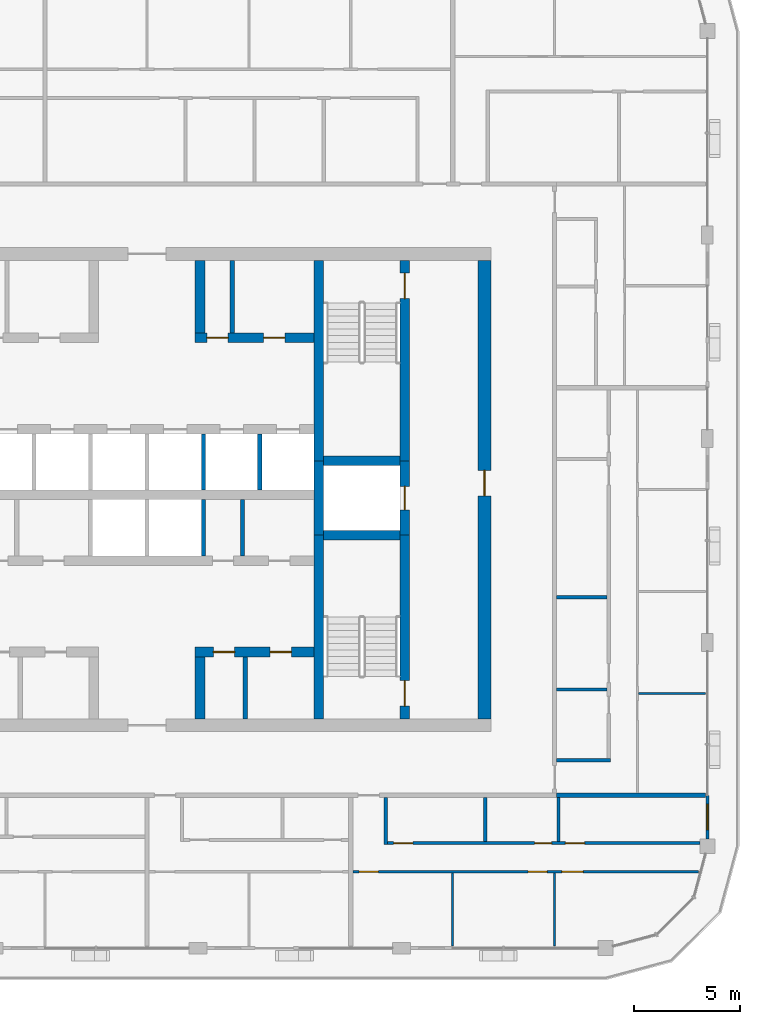
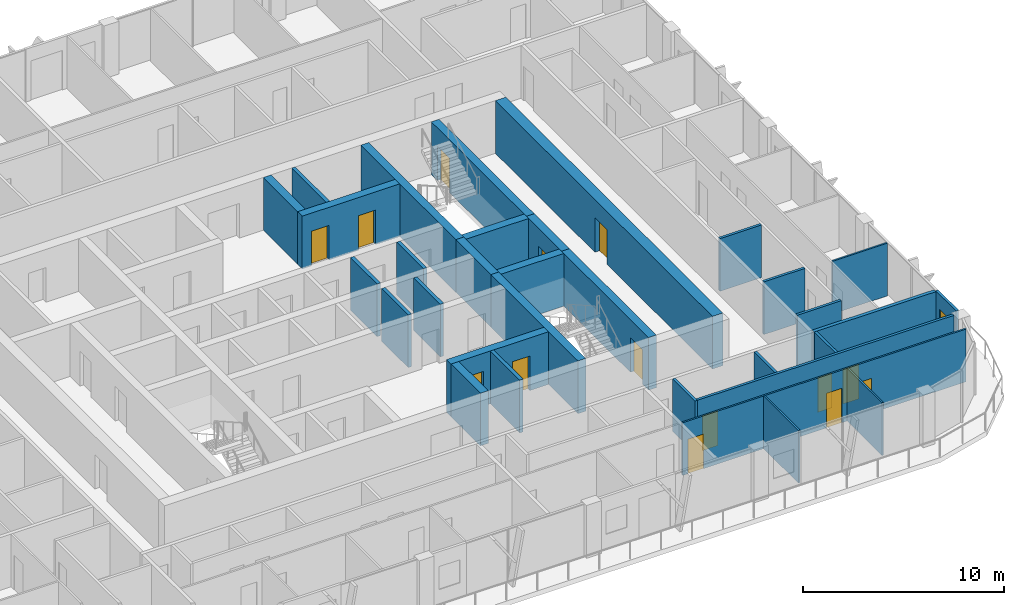
# One storey, part 12 of 21: 32 walls, 14 doors, 1 window, 15 openings.
"""IFC4 building model written with IfcOpenShell, lengths in metres."""

from ifc_helpers import new_model, si_unit, direction, frame, frame_2d, origin, place, context, subcontext, project, spatial, rectangle, extrude, material, layer, layer_set, type_object, element, fill, save


model = new_model("IFC4")

# Units and contexts
model_context = context("Model", 3, precision=1e-05, world=origin(), true_north=direction((0.0, 1.0)))
body_context = subcontext(model_context, "Body", "Model", "MODEL_VIEW")
ifc_project = project(units=[si_unit("LENGTHUNIT", "METRE"), si_unit("AREAUNIT", "SQUARE_METRE"), si_unit("VOLUMEUNIT", "CUBIC_METRE"), si_unit("PLANEANGLEUNIT", "RADIAN"), si_unit("MASSUNIT", "GRAM", prefix="KILO")], contexts=[model_context])

# Site, building, storey
site_placement = place(None, origin())
site = spatial("IfcSite", under=ifc_project, at=site_placement, CompositionType="ELEMENT")
building_placement = place(site_placement, origin())
building = spatial("IfcBuilding", under=site, at=building_placement, Name="Madar Terraces", CompositionType="ELEMENT")
storey_placement = place(building_placement, frame((0.0, 0.0, 245.699951171875)))
storey = spatial("IfcBuildingStorey", under=building, at=storey_placement, Name="L64", CompositionType="ELEMENT", Elevation=245.699951171875)

# Walls
ifc_material_1 = material(Name="Concrete C55/67", Category="concrete")
ifc_layer_1 = layer(ifc_material_1, 0.449951171875)
ifc_layer_set_1 = layer_set([ifc_layer_1], Name="Concrete C55/67 (CIW5 RC wall 450)")
wall_type_1 = type_object("IfcWallType", Name="CIW5 RC wall 450", PredefinedType="SHEAR", material=ifc_layer_set_1)
wall_1_placement = place(storey_placement, frame((39.300048828125, 15.60009765625, 0.0), z_axis=(0.0, 0.0, 1.0), x_axis=(0.0, 1.0, 0.0)))
element("IfcWall", 1, at=wall_1_placement, inside=storey, type_object=wall_type_1, Name="CORE SHAFT WALL", PredefinedType="SHEAR", context=body_context, shape_type="SweptSolid", body=[
    extrude(rectangle(XDim=8.64990234375, YDim=0.449951171875, at=frame_2d((4.324951171875, 0.0))), origin(), (0.0, 0.0, 1.0), 3.199951171875),
])
wall_2_placement = place(storey_placement, frame((39.300048828125, 24.25, 0.0), z_axis=(0.0, 0.0, 1.0), x_axis=(0.0, 1.0, 0.0)))
element("IfcWall", 2, at=wall_2_placement, inside=storey, type_object=wall_type_1, Name="CORE SHAFT WALL", PredefinedType="SHEAR", context=body_context, shape_type="SweptSolid", body=[
    extrude(rectangle(XDim=3.5, YDim=0.449951171875, at=frame_2d((1.75, 0.0))), origin(), (0.0, 0.0, 1.0), 3.199951171875),
])
wall_3_placement = place(storey_placement, frame((39.300048828125, 27.75, 0.0), z_axis=(0.0, 0.0, 1.0), x_axis=(0.0, 1.0, 0.0)))
element("IfcWall", 3, at=wall_3_placement, inside=storey, type_object=wall_type_1, Name="CORE SHAFT WALL", PredefinedType="SHEAR", context=body_context, shape_type="SweptSolid", body=[
    extrude(rectangle(XDim=9.449951171875, YDim=0.449951171875, at=frame_2d((4.72509765625, 0.0))), origin(), (0.0, 0.0, 1.0), 3.199951171875),
])

# Wall, opening, door
wall_4_placement = place(storey_placement, frame((43.35009765625, 15.60009765625, 0.0), z_axis=(0.0, 0.0, 1.0), x_axis=(0.0, 1.0, 0.0)))
wall_4 = element("IfcWall", 4, at=wall_4_placement, inside=storey, type_object=wall_type_1, Name="CORE SHAFT WALL", PredefinedType="SHEAR", context=body_context, shape_type="SweptSolid", body=[
    extrude(rectangle(XDim=8.64990234375, YDim=0.449951171875, at=frame_2d((4.324951171875, 0.0))), origin(), (0.0, 0.0, 1.0), 3.199951171875),
])
opening_1_placement = place(wall_4_placement, frame((0.60009765625, 0.0, 0.0)))
opening_1 = element("IfcOpeningElement", 5, at=opening_1_placement, cuts=wall_4, Name="Opening SD1", PredefinedType="OPENING", context=body_context, shape_type="SweptSolid", body=[
    extrude(rectangle(XDim=1.199951171875, YDim=2.10009765625, at=frame_2d((0.60009765625, 1.050048828125))), frame((0.0, 0.23486328125, 0.0), z_axis=(0.0, -1.0, 0.0), x_axis=(1.0, 0.0, 0.0)), (0.0, 0.0, 1.0), 0.469970703125),
])
ifc_material_2 = material(Name="Steel door leaf", Category="steel")
door_type_1 = type_object("IfcDoorType", Name="Stair door 1200 x 2100", OperationType="NOTDEFINED", PredefinedType="DOOR", material=ifc_material_2)
door_1_placement = place(opening_1_placement, origin())
door_1 = element("IfcDoor", 6, at=door_1_placement, inside=storey, type_object=door_type_1, Name="STAIR DOOR", OperationType="SINGLE_SWING_LEFT", OverallHeight=2.10009765625, OverallWidth=1.199951171875, PredefinedType="DOOR", context=body_context, shape_type="SweptSolid", body=[
    extrude(rectangle(XDim=1.199951171875, YDim=2.10009765625, at=frame_2d((0.60009765625, 1.050048828125))), frame((0.0, 0.02490234375, 0.0), z_axis=(0.0, -1.0, 0.0), x_axis=(1.0, 0.0, 0.0)), (0.0, 0.0, 1.0), 0.050048828125),
])
fill(opening_1, door_1)

wall_5_placement = place(storey_placement, frame((43.35009765625, 24.25, 0.0), z_axis=(0.0, 0.0, 1.0), x_axis=(0.0, 1.0, 0.0)))
wall_5 = element("IfcWall", 7, at=wall_5_placement, inside=storey, type_object=wall_type_1, Name="CORE SHAFT WALL", PredefinedType="SHEAR", context=body_context, shape_type="SweptSolid", body=[
    extrude(rectangle(XDim=3.5, YDim=0.449951171875, at=frame_2d((1.75, 0.0))), origin(), (0.0, 0.0, 1.0), 3.199951171875),
])
opening_2_placement = place(wall_5_placement, frame((1.199951171875, 0.0, 0.0)))
opening_2 = element("IfcOpeningElement", 8, at=opening_2_placement, cuts=wall_5, Name="Opening LD", PredefinedType="OPENING", context=body_context, shape_type="SweptSolid", body=[
    extrude(rectangle(XDim=1.10009765625, YDim=2.10009765625, at=frame_2d((0.550048828125, 1.050048828125))), frame((0.0, 0.23486328125, 0.0), z_axis=(0.0, -1.0, 0.0), x_axis=(1.0, 0.0, 0.0)), (0.0, 0.0, 1.0), 0.469970703125),
])
ifc_material_3 = material(Name="Stainless steel panel", Category="steel")
door_type_2 = type_object("IfcDoorType", Name="Lift landing door 1100 x 2100", OperationType="DOUBLE_DOOR_SLIDING", PredefinedType="DOOR", material=ifc_material_3)
door_2_placement = place(opening_2_placement, origin())
door_2 = element("IfcDoor", 9, at=door_2_placement, inside=storey, type_object=door_type_2, Name="LIFT LANDING DOOR", OperationType="DOUBLE_DOOR_SLIDING", OverallHeight=2.10009765625, OverallWidth=1.10009765625, PredefinedType="DOOR", context=body_context, shape_type="SweptSolid", body=[
    extrude(rectangle(XDim=1.10009765625, YDim=2.10009765625, at=frame_2d((0.550048828125, 1.050048828125))), frame((0.0, 0.02490234375, 0.0), z_axis=(0.0, -1.0, 0.0), x_axis=(1.0, 0.0, 0.0)), (0.0, 0.0, 1.0), 0.050048828125),
])
fill(opening_2, door_2)

wall_6_placement = place(storey_placement, frame((43.35009765625, 27.75, 0.0), z_axis=(0.0, 0.0, 1.0), x_axis=(0.0, 1.0, 0.0)))
wall_6 = element("IfcWall", 10, at=wall_6_placement, inside=storey, type_object=wall_type_1, Name="CORE SHAFT WALL", PredefinedType="SHEAR", context=body_context, shape_type="SweptSolid", body=[
    extrude(rectangle(XDim=9.449951171875, YDim=0.449951171875, at=frame_2d((4.72509765625, 0.0))), origin(), (0.0, 0.0, 1.0), 3.199951171875),
])
opening_3_placement = place(wall_6_placement, frame((7.64990234375, 0.0, 0.0)))
opening_3 = element("IfcOpeningElement", 11, at=opening_3_placement, cuts=wall_6, Name="Opening SD1", PredefinedType="OPENING", context=body_context, shape_type="SweptSolid", body=[
    extrude(rectangle(XDim=1.199951171875, YDim=2.10009765625, at=frame_2d((0.60009765625, 1.050048828125))), frame((0.0, 0.23486328125, 0.0), z_axis=(0.0, -1.0, 0.0), x_axis=(1.0, 0.0, 0.0)), (0.0, 0.0, 1.0), 0.469970703125),
])
door_3_placement = place(opening_3_placement, origin())
door_3 = element("IfcDoor", 12, at=door_3_placement, inside=storey, type_object=door_type_1, Name="STAIR DOOR", OperationType="SINGLE_SWING_RIGHT", OverallHeight=2.10009765625, OverallWidth=1.199951171875, PredefinedType="DOOR", context=body_context, shape_type="SweptSolid", body=[
    extrude(rectangle(XDim=1.199951171875, YDim=2.10009765625, at=frame_2d((0.60009765625, 1.050048828125))), frame((0.0, 0.02490234375, 0.0), z_axis=(0.0, -1.0, 0.0), x_axis=(1.0, 0.0, 0.0)), (0.0, 0.0, 1.0), 0.050048828125),
])
fill(opening_3, door_3)

# Walls
for number, where, z_axis, x_axis, name in (
    (13, (39.52490234375, 24.25, 0.0), (0.0, 0.0, 1.0), (1.0, 0.0, 0.0), "CORE SHAFT WALL"),
    (14, (39.52490234375, 27.75, 0.0), (0.0, 0.0, 1.0), (1.0, 0.0, 0.0), "CORE SHAFT WALL"),
):
    element("IfcWall", number, at=place(storey_placement, frame(where, z_axis=z_axis, x_axis=x_axis)), inside=storey, type_object=wall_type_1, Name=name, PredefinedType="SHEAR", context=body_context, shape_type="SweptSolid", body=[
        extrude(rectangle(XDim=3.60009765625, YDim=0.449951171875, at=frame_2d((1.800048828125, 0.0))), origin(), (0.0, 0.0, 1.0), 3.199951171875),
    ])

# Wall, openings, doors
wall_7_placement = place(storey_placement, frame((33.47509765625, 18.75, 0.0), z_axis=(0.0, 0.0, 1.0), x_axis=(1.0, 0.0, 0.0)))
wall_7 = element("IfcWall", 15, at=wall_7_placement, inside=storey, type_object=wall_type_1, Name="CORE SHAFT WALL", PredefinedType="SHEAR", context=body_context, shape_type="SweptSolid", body=[
    extrude(rectangle(XDim=5.599853515625, YDim=0.449951171875, at=frame_2d((2.7998046875, 0.0))), origin(), (0.0, 0.0, 1.0), 3.199951171875),
])
opening_4_placement = place(wall_7_placement, frame((0.852783203125, 0.0, 0.0)))
opening_4 = element("IfcOpeningElement", 16, at=opening_4_placement, cuts=wall_7, Name="Opening KD2", PredefinedType="OPENING", context=body_context, shape_type="SweptSolid", body=[
    extrude(rectangle(XDim=1.0, YDim=2.10009765625, at=frame_2d((0.5, 1.050048828125))), frame((0.0, 0.23486328125, 0.0), z_axis=(0.0, -1.0, 0.0), x_axis=(1.0, 0.0, 0.0)), (0.0, 0.0, 1.0), 0.469970703125),
])
opening_5_placement = place(wall_7_placement, frame((3.52783203125, 0.0, 0.0)))
opening_5 = element("IfcOpeningElement", 17, at=opening_5_placement, cuts=wall_7, Name="Opening KD2", PredefinedType="OPENING", context=body_context, shape_type="SweptSolid", body=[
    extrude(rectangle(XDim=1.0, YDim=2.10009765625, at=frame_2d((0.5, 1.050048828125))), frame((0.0, 0.23486328125, 0.0), z_axis=(0.0, -1.0, 0.0), x_axis=(1.0, 0.0, 0.0)), (0.0, 0.0, 1.0), 0.469970703125),
])
ifc_material_4 = material(Name="Steel door leaf", Category="steel")
door_type_3 = type_object("IfcDoorType", Name="Service room door 1000 x 2100", OperationType="NOTDEFINED", PredefinedType="DOOR", material=ifc_material_4)
door_4_placement = place(opening_4_placement, origin())
door_4 = element("IfcDoor", 18, at=door_4_placement, inside=storey, type_object=door_type_3, Name="SERVICE ROOM DOOR", OperationType="SINGLE_SWING_LEFT", OverallHeight=2.10009765625, OverallWidth=1.0, PredefinedType="DOOR", context=body_context, shape_type="SweptSolid", body=[
    extrude(rectangle(XDim=1.0, YDim=2.10009765625, at=frame_2d((0.5, 1.050048828125))), frame((0.0, 0.02490234375, 0.0), z_axis=(0.0, -1.0, 0.0), x_axis=(1.0, 0.0, 0.0)), (0.0, 0.0, 1.0), 0.050048828125),
])
fill(opening_4, door_4)
door_5_placement = place(opening_5_placement, origin())
door_5 = element("IfcDoor", 19, at=door_5_placement, inside=storey, type_object=door_type_3, Name="SERVICE ROOM DOOR", OperationType="SINGLE_SWING_RIGHT", OverallHeight=2.10009765625, OverallWidth=1.0, PredefinedType="DOOR", context=body_context, shape_type="SweptSolid", body=[
    extrude(rectangle(XDim=1.0, YDim=2.10009765625, at=frame_2d((0.5, 1.050048828125))), frame((0.0, 0.02490234375, 0.0), z_axis=(0.0, -1.0, 0.0), x_axis=(1.0, 0.0, 0.0)), (0.0, 0.0, 1.0), 0.050048828125),
])
fill(opening_5, door_5)

wall_8_placement = place(storey_placement, frame((33.47509765625, 33.550048828125, 0.0), z_axis=(0.0, 0.0, 1.0), x_axis=(1.0, 0.0, 0.0)))
wall_8 = element("IfcWall", 20, at=wall_8_placement, inside=storey, type_object=wall_type_1, Name="CORE SHAFT WALL", PredefinedType="SHEAR", context=body_context, shape_type="SweptSolid", body=[
    extrude(rectangle(XDim=5.599853515625, YDim=0.449951171875, at=frame_2d((2.7998046875, 0.0))), origin(), (0.0, 0.0, 1.0), 3.199951171875),
])
opening_6_placement = place(wall_8_placement, frame((0.543701171875, 0.0, 0.0)))
opening_6 = element("IfcOpeningElement", 21, at=opening_6_placement, cuts=wall_8, Name="Opening KD2", PredefinedType="OPENING", context=body_context, shape_type="SweptSolid", body=[
    extrude(rectangle(XDim=1.0, YDim=2.10009765625, at=frame_2d((0.5, 1.050048828125))), frame((0.0, 0.23486328125, 0.0), z_axis=(0.0, -1.0, 0.0), x_axis=(1.0, 0.0, 0.0)), (0.0, 0.0, 1.0), 0.469970703125),
])
opening_7_placement = place(wall_8_placement, frame((3.21875, 0.0, 0.0)))
opening_7 = element("IfcOpeningElement", 22, at=opening_7_placement, cuts=wall_8, Name="Opening KD2", PredefinedType="OPENING", context=body_context, shape_type="SweptSolid", body=[
    extrude(rectangle(XDim=1.0, YDim=2.10009765625, at=frame_2d((0.5, 1.050048828125))), frame((0.0, 0.23486328125, 0.0), z_axis=(0.0, -1.0, 0.0), x_axis=(1.0, 0.0, 0.0)), (0.0, 0.0, 1.0), 0.469970703125),
])
door_6_placement = place(opening_6_placement, frame((1.0, 0.0, 0.0), z_axis=(0.0, 0.0, 1.0), x_axis=(-1.0, 0.0, 0.0)))
door_6 = element("IfcDoor", 23, at=door_6_placement, inside=storey, type_object=door_type_3, Name="SERVICE ROOM DOOR", OperationType="SINGLE_SWING_LEFT", OverallHeight=2.10009765625, OverallWidth=1.0, PredefinedType="DOOR", context=body_context, shape_type="SweptSolid", body=[
    extrude(rectangle(XDim=1.0, YDim=2.10009765625, at=frame_2d((0.5, 1.050048828125))), frame((0.0, 0.02490234375, 0.0), z_axis=(0.0, -1.0, 0.0), x_axis=(1.0, 0.0, 0.0)), (0.0, 0.0, 1.0), 0.050048828125),
])
fill(opening_6, door_6)
door_7_placement = place(opening_7_placement, frame((1.0, 0.0, 0.0), z_axis=(0.0, 0.0, 1.0), x_axis=(-1.0, 0.0, 0.0)))
door_7 = element("IfcDoor", 24, at=door_7_placement, inside=storey, type_object=door_type_3, Name="SERVICE ROOM DOOR", OperationType="SINGLE_SWING_RIGHT", OverallHeight=2.10009765625, OverallWidth=1.0, PredefinedType="DOOR", context=body_context, shape_type="SweptSolid", body=[
    extrude(rectangle(XDim=1.0, YDim=2.10009765625, at=frame_2d((0.5, 1.050048828125))), frame((0.0, 0.02490234375, 0.0), z_axis=(0.0, -1.0, 0.0), x_axis=(1.0, 0.0, 0.0)), (0.0, 0.0, 1.0), 0.050048828125),
])
fill(opening_7, door_7)

# Walls
wall_9_placement = place(storey_placement, frame((33.699951171875, 15.60009765625, 0.0), z_axis=(0.0, 0.0, 1.0), x_axis=(0.0, 1.0, 0.0)))
element("IfcWall", 25, at=wall_9_placement, inside=storey, type_object=wall_type_1, Name="CORE SHAFT WALL", PredefinedType="SHEAR", context=body_context, shape_type="SweptSolid", body=[
    extrude(rectangle(XDim=2.9248046875, YDim=0.449951171875, at=frame_2d((1.46240234375, 0.0))), origin(), (0.0, 0.0, 1.0), 3.199951171875),
])
wall_10_placement = place(storey_placement, frame((33.699951171875, 33.77490234375, 0.0), z_axis=(0.0, 0.0, 1.0), x_axis=(0.0, 1.0, 0.0)))
element("IfcWall", 26, at=wall_10_placement, inside=storey, type_object=wall_type_1, Name="CORE SHAFT WALL", PredefinedType="SHEAR", context=body_context, shape_type="SweptSolid", body=[
    extrude(rectangle(XDim=3.425048828125, YDim=0.449951171875, at=frame_2d((1.71240234375, 0.0))), origin(), (0.0, 0.0, 1.0), 3.199951171875),
])

# Wall, opening, door
ifc_material_5 = material(Name="Concrete C55/67", Category="concrete")
ifc_layer_2 = layer(ifc_material_5, 0.60009765625)
ifc_layer_set_2 = layer_set([ifc_layer_2], Name="Concrete C55/67 (CRW5 RC wall 600)")
wall_type_2 = type_object("IfcWallType", Name="CRW5 RC wall 600", PredefinedType="SHEAR", material=ifc_layer_set_2)
wall_11_placement = place(storey_placement, frame((47.10009765625, 15.60009765625, 0.0), z_axis=(0.0, 0.0, 1.0), x_axis=(0.0, 1.0, 0.0)))
wall_11 = element("IfcWall", 27, at=wall_11_placement, inside=storey, type_object=wall_type_2, Name="CORE OUTER WALL", PredefinedType="SHEAR", context=body_context, shape_type="SweptSolid", body=[
    extrude(rectangle(XDim=21.599853515625, YDim=0.60009765625, at=frame_2d((10.7998046875, 0.0))), origin(), (0.0, 0.0, 1.0), 3.199951171875),
])
opening_8_placement = place(wall_11_placement, frame((10.5, 0.0, 0.0)))
opening_8 = element("IfcOpeningElement", 28, at=opening_8_placement, cuts=wall_11, Name="Opening SD1", PredefinedType="OPENING", context=body_context, shape_type="SweptSolid", body=[
    extrude(rectangle(XDim=1.199951171875, YDim=2.10009765625, at=frame_2d((0.60009765625, 1.050048828125))), frame((0.0, 0.31005859375, 0.0), z_axis=(0.0, -1.0, 0.0), x_axis=(1.0, 0.0, 0.0)), (0.0, 0.0, 1.0), 0.6201171875),
])
door_8_placement = place(opening_8_placement, origin())
door_8 = element("IfcDoor", 29, at=door_8_placement, inside=storey, type_object=door_type_1, Name="STAIR DOOR", OperationType="SINGLE_SWING_RIGHT", OverallHeight=2.10009765625, OverallWidth=1.199951171875, PredefinedType="DOOR", context=body_context, shape_type="SweptSolid", body=[
    extrude(rectangle(XDim=1.199951171875, YDim=2.10009765625, at=frame_2d((0.60009765625, 1.050048828125))), frame((0.0, 0.02490234375, 0.0), z_axis=(0.0, -1.0, 0.0), x_axis=(1.0, 0.0, 0.0)), (0.0, 0.0, 1.0), 0.050048828125),
])
fill(opening_8, door_8)

# Walls
ifc_material_6 = material(Name="Masonry blockwork", Category="masonry")
ifc_layer_3 = layer(ifc_material_6, 0.199951171875)
ifc_layer_set_3 = layer_set([ifc_layer_3], Name="Core partition 200 blockwork")
wall_type_3 = type_object("IfcWallType", Name="Core partition 200 blockwork", PredefinedType="PARTITIONING", material=ifc_layer_set_3)
wall_12_placement = place(storey_placement, frame((35.697998046875, 23.27490234375, 0.0), z_axis=(0.0, 0.0, 1.0), x_axis=(0.0, 1.0, 0.0)))
element("IfcWall", 30, at=wall_12_placement, inside=storey, type_object=wall_type_3, Name="SERVICE ROOM PARTITION", PredefinedType="PARTITIONING", context=body_context, shape_type="SweptSolid", body=[
    extrude(rectangle(XDim=2.650146484375, YDim=0.199951171875, at=frame_2d((1.3251953125, 0.0))), origin(), (0.0, 0.0, 1.0), 3.199951171875),
])
wall_13_placement = place(storey_placement, frame((35.83056640625, 15.60009765625, 0.0), z_axis=(0.0, 0.0, 1.0), x_axis=(0.0, 1.0, 0.0)))
element("IfcWall", 31, at=wall_13_placement, inside=storey, type_object=wall_type_3, Name="SERVICE ROOM PARTITION", PredefinedType="PARTITIONING", context=body_context, shape_type="SweptSolid", body=[
    extrude(rectangle(XDim=2.9248046875, YDim=0.199951171875, at=frame_2d((1.46240234375, 0.0))), origin(), (0.0, 0.0, 1.0), 3.199951171875),
])
wall_14_placement = place(storey_placement, frame((35.21240234375, 33.77490234375, 0.0), z_axis=(0.0, 0.0, 1.0), x_axis=(0.0, 1.0, 0.0)))
element("IfcWall", 32, at=wall_14_placement, inside=storey, type_object=wall_type_3, Name="SERVICE ROOM PARTITION", PredefinedType="PARTITIONING", context=body_context, shape_type="SweptSolid", body=[
    extrude(rectangle(XDim=3.425048828125, YDim=0.199951171875, at=frame_2d((1.71240234375, 0.0))), origin(), (0.0, 0.0, 1.0), 3.199951171875),
])
ifc_material_7 = material(Name="Concrete C40/50", Category="concrete")
ifc_layer_4 = layer(ifc_material_7, 0.199951171875)
ifc_layer_set_4 = layer_set([ifc_layer_4], Name="Core shaft dividing wall 200 C40/50")
wall_type_4 = type_object("IfcWallType", Name="Core shaft dividing wall 200 C40/50", PredefinedType="SOLIDWALL", material=ifc_layer_set_4)
wall_15_placement = place(storey_placement, frame((33.8583984375, 23.27490234375, 0.0), z_axis=(0.0, 0.0, 1.0), x_axis=(0.0, 1.0, 0.0)))
element("IfcWall", 33, at=wall_15_placement, inside=storey, type_object=wall_type_4, Name="SHAFT DIVIDING WALL", PredefinedType="SOLIDWALL", context=body_context, shape_type="SweptSolid", body=[
    extrude(rectangle(XDim=2.650146484375, YDim=0.199951171875, at=frame_2d((1.3251953125, 0.0))), origin(), (0.0, 0.0, 1.0), 3.199951171875),
])
for number, where, z_axis, x_axis, name in (
    (34, (33.8583984375, 26.375, 0.0), (0.0, 0.0, 1.0), (0.0, 1.0, 0.0), "SHAFT DIVIDING WALL"),
    (35, (36.5166015625, 26.375, 0.0), (0.0, 0.0, 1.0), (0.0, 1.0, 0.0), "SHAFT DIVIDING WALL"),
):
    element("IfcWall", number, at=place(storey_placement, frame(where, z_axis=z_axis, x_axis=x_axis)), inside=storey, type_object=wall_type_4, Name=name, PredefinedType="SOLIDWALL", context=body_context, shape_type="SweptSolid", body=[
        extrude(rectangle(XDim=2.64990234375, YDim=0.199951171875, at=frame_2d((1.324951171875, 0.0))), origin(), (0.0, 0.0, 1.0), 3.199951171875),
    ])

# Wall, opening, window
ifc_material_8 = material(Name="Aluminium composite panel, black, over insulated backing", Category="aluminium")
ifc_layer_5 = layer(ifc_material_8, 0.14990234375)
ifc_layer_set_5 = layer_set([ifc_layer_5], Name="Facade bay panel 150")
wall_type_5 = type_object("IfcWallType", Name="Facade bay panel 150", PredefinedType="SOLIDWALL", material=ifc_layer_set_5)
wall_16_placement = place(storey_placement, frame((57.60009765625, 9.949951171875, 0.0), z_axis=(0.0, 0.0, 1.0), x_axis=(0.0, 1.0, 0.0)))
wall_16 = element("IfcWall", 36, at=wall_16_placement, inside=storey, type_object=wall_type_5, Name="Facade bay panel", PredefinedType="SOLIDWALL", context=body_context, shape_type="SweptSolid", body=[
    extrude(rectangle(XDim=2.050048828125, YDim=0.14990234375, at=frame_2d((1.02490234375, 0.0))), origin(), (0.0, 0.0, 1.0), 3.199951171875),
])
opening_9_placement = place(wall_16_placement, frame((0.425048828125, 0.0, 0.89990234375)))
opening_9 = element("IfcOpeningElement", 37, at=opening_9_placement, cuts=wall_16, Name="Opening W1", PredefinedType="OPENING", context=body_context, shape_type="SweptSolid", body=[
    extrude(rectangle(XDim=1.199951171875, YDim=1.39990234375, at=frame_2d((0.60009765625, 0.699951171875))), frame((0.0, 0.0849609375, 0.0), z_axis=(0.0, -1.0, 0.0), x_axis=(1.0, 0.0, 0.0)), (0.0, 0.0, 1.0), 0.169921875),
])
ifc_material_9 = material(Name="Glass, clear, with black aluminium frame", Category="aluminium")
window_type = type_object("IfcWindowType", Name="Vent window 1200 x 1400", PartitioningType="SINGLE_PANEL", PredefinedType="WINDOW", material=ifc_material_9)
window_placement = place(opening_9_placement, origin())
window = element("IfcWindow", 38, at=window_placement, inside=storey, type_object=window_type, Name="Operable vent window", OverallHeight=1.39990234375, OverallWidth=1.199951171875, PartitioningType="SINGLE_PANEL", PredefinedType="WINDOW", context=body_context, shape_type="SweptSolid", body=[
    extrude(rectangle(XDim=1.199951171875, YDim=1.39990234375, at=frame_2d((0.60009765625, 0.699951171875))), frame((0.0, 0.030029296875, 0.0), z_axis=(0.0, -1.0, 0.0), x_axis=(1.0, 0.0, 0.0)), (0.0, 0.0, 1.0), 0.06005859375),
])
fill(opening_9, window)

# Walls
ifc_material_10 = material(Name="Gypsum board on steel studs", Category="steel")
ifc_layer_6 = layer(ifc_material_10, 0.10009765625)
ifc_layer_set_6 = layer_set([ifc_layer_6], Name="Flat partition 100")
wall_type_6 = type_object("IfcWallType", Name="Flat partition 100", PredefinedType="PARTITIONING", material=ifc_layer_set_6)
for number, where, z_axis, x_axis, name in (
    (39, (45.60009765625, 8.35009765625, 0.0), (0.0, 0.0, 1.0), (0.0, -1.0, 0.0), "Flat partition 100"),
    (40, (50.39990234375, 8.35009765625, 0.0), (0.0, 0.0, 1.0), (0.0, -1.0, 0.0), "Flat partition 100"),
):
    element("IfcWall", number, at=place(storey_placement, frame(where, z_axis=z_axis, x_axis=x_axis)), inside=storey, type_object=wall_type_6, Name=name, PredefinedType="PARTITIONING", context=body_context, shape_type="SweptSolid", body=[
        extrude(rectangle(XDim=3.4501953125, YDim=0.10009765625, at=frame_2d((1.72509765625, 0.0))), origin(), (0.0, 0.0, 1.0), 3.199951171875),
    ])

# Wall, openings, doors
wall_17_placement = place(storey_placement, frame((57.178466796875, 8.39990234375, 0.0), z_axis=(0.0, 0.0, 1.0), x_axis=(-1.0, 0.0, 0.0)))
wall_17 = element("IfcWall", 41, at=wall_17_placement, inside=storey, type_object=wall_type_6, Name="Flat partition 100", PredefinedType="PARTITIONING", context=body_context, shape_type="SweptSolid", body=[
    extrude(rectangle(XDim=16.278564453125, YDim=0.10009765625, at=frame_2d((8.13916015625, 0.0))), origin(), (0.0, 0.0, 1.0), 3.199951171875),
])
opening_10_placement = place(wall_17_placement, frame((15.07861328125, 0.0, 0.0)))
opening_10 = element("IfcOpeningElement", 42, at=opening_10_placement, cuts=wall_17, Name="Opening D2", PredefinedType="OPENING", context=body_context, shape_type="SweptSolid", body=[
    extrude(rectangle(XDim=0.89990234375, YDim=2.10009765625, at=frame_2d((0.449951171875, 1.050048828125))), frame((0.0, 0.06005859375, 0.0), z_axis=(0.0, -1.0, 0.0), x_axis=(1.0, 0.0, 0.0)), (0.0, 0.0, 1.0), 0.1201171875),
])
opening_11_placement = place(wall_17_placement, frame((7.12841796875, 0.0, 0.0)))
opening_11 = element("IfcOpeningElement", 43, at=opening_11_placement, cuts=wall_17, Name="Opening D2", PredefinedType="OPENING", context=body_context, shape_type="SweptSolid", body=[
    extrude(rectangle(XDim=0.89990234375, YDim=2.10009765625, at=frame_2d((0.449951171875, 1.050048828125))), frame((0.0, 0.06005859375, 0.0), z_axis=(0.0, -1.0, 0.0), x_axis=(1.0, 0.0, 0.0)), (0.0, 0.0, 1.0), 0.1201171875),
])
opening_12_placement = place(wall_17_placement, frame((5.428466796875, 0.0, 0.0)))
opening_12 = element("IfcOpeningElement", 44, at=opening_12_placement, cuts=wall_17, Name="Opening D3", PredefinedType="OPENING", context=body_context, shape_type="SweptSolid", body=[
    extrude(rectangle(XDim=1.0, YDim=2.10009765625, at=frame_2d((0.5, 1.050048828125))), frame((0.0, 0.06005859375, 0.0), z_axis=(0.0, -1.0, 0.0), x_axis=(1.0, 0.0, 0.0)), (0.0, 0.0, 1.0), 0.1201171875),
])
ifc_material_11 = material(Name="Timber door leaf", Category="wood")
door_type_4 = type_object("IfcDoorType", Name="Flat living room door 1000", OperationType="NOTDEFINED", PredefinedType="DOOR", material=ifc_material_11)
door_9_placement = place(opening_12_placement, origin())
door_9 = element("IfcDoor", 45, at=door_9_placement, inside=storey, type_object=door_type_4, Name="Flat living room door 1000", OperationType="SINGLE_SWING_RIGHT", OverallHeight=2.10009765625, OverallWidth=1.0, PredefinedType="DOOR", context=body_context, shape_type="SweptSolid", body=[
    extrude(rectangle(XDim=1.0, YDim=2.10009765625, at=frame_2d((0.5, 1.050048828125))), frame((0.0, 0.02490234375, 0.0), z_axis=(0.0, -1.0, 0.0), x_axis=(1.0, 0.0, 0.0)), (0.0, 0.0, 1.0), 0.050048828125),
])
fill(opening_12, door_9)
ifc_material_12 = material(Name="Timber door leaf", Category="wood")
door_type_5 = type_object("IfcDoorType", Name="Flat room door 900", OperationType="NOTDEFINED", PredefinedType="DOOR", material=ifc_material_12)
door_10_placement = place(opening_10_placement, origin())
door_10 = element("IfcDoor", 46, at=door_10_placement, inside=storey, type_object=door_type_5, Name="Flat room door 900", OperationType="SINGLE_SWING_RIGHT", OverallHeight=2.10009765625, OverallWidth=0.89990234375, PredefinedType="DOOR", context=body_context, shape_type="SweptSolid", body=[
    extrude(rectangle(XDim=0.89990234375, YDim=2.10009765625, at=frame_2d((0.449951171875, 1.050048828125))), frame((0.0, 0.02490234375, 0.0), z_axis=(0.0, -1.0, 0.0), x_axis=(1.0, 0.0, 0.0)), (0.0, 0.0, 1.0), 0.050048828125),
])
fill(opening_10, door_10)
door_11_placement = place(opening_11_placement, origin())
door_11 = element("IfcDoor", 47, at=door_11_placement, inside=storey, type_object=door_type_5, Name="Flat room door 900", OperationType="SINGLE_SWING_LEFT", OverallHeight=2.10009765625, OverallWidth=0.89990234375, PredefinedType="DOOR", context=body_context, shape_type="SweptSolid", body=[
    extrude(rectangle(XDim=0.89990234375, YDim=2.10009765625, at=frame_2d((0.449951171875, 1.050048828125))), frame((0.0, 0.02490234375, 0.0), z_axis=(0.0, -1.0, 0.0), x_axis=(1.0, 0.0, 0.0)), (0.0, 0.0, 1.0), 0.050048828125),
])
fill(opening_11, door_11)

# Walls
wall_18_placement = place(storey_placement, frame((54.35009765625, 16.800048828125, 0.0), z_axis=(0.0, 0.0, 1.0), x_axis=(1.0, 0.0, 0.0)))
element("IfcWall", 48, at=wall_18_placement, inside=storey, type_object=wall_type_6, Name="Flat partition 100", PredefinedType="PARTITIONING", context=body_context, shape_type="SweptSolid", body=[
    extrude(rectangle(XDim=3.14990234375, YDim=0.10009765625, at=frame_2d((1.574951171875, 0.0))), origin(), (0.0, 0.0, 1.0), 3.199951171875),
])
ifc_material_13 = material(Name="Lightweight blockwork", Category="masonry")
ifc_layer_7 = layer(ifc_material_13, 0.199951171875)
ifc_layer_set_7 = layer_set([ifc_layer_7], Name="Flat party and entrance wall 200")
wall_type_7 = type_object("IfcWallType", Name="Flat party and entrance wall 200", PredefinedType="PARTITIONING", material=ifc_layer_set_7)
wall_19_placement = place(storey_placement, frame((50.5, 12.0, 0.0), z_axis=(0.0, 0.0, 1.0), x_axis=(1.0, 0.0, 0.0)))
element("IfcWall", 49, at=wall_19_placement, inside=storey, type_object=wall_type_7, Name="Flat party and entrance wall 200", PredefinedType="PARTITIONING", context=body_context, shape_type="SweptSolid", body=[
    extrude(rectangle(XDim=7.0, YDim=0.199951171875, at=frame_2d((3.5, 0.0))), origin(), (0.0, 0.0, 1.0), 3.199951171875),
])
ifc_material_14 = material(Name="Lightweight blockwork", Category="masonry")
ifc_layer_8 = layer(ifc_material_14, 0.14990234375)
ifc_layer_set_8 = layer_set([ifc_layer_8], Name="Flat wet-room partition 150")
wall_type_8 = type_object("IfcWallType", Name="Flat wet-room partition 150", PredefinedType="PARTITIONING", material=ifc_layer_set_8)
for number, where, z_axis, x_axis, name in (
    (50, (47.1328125, 11.89990234375, 0.0), (0.0, 0.0, 1.0), (0.0, -1.0, 0.0), "Flat wet-room partition 150"),
    (51, (50.58837890625, 11.89990234375, 0.0), (0.0, 0.0, 1.0), (0.0, -1.0, 0.0), "Flat wet-room partition 150"),
):
    element("IfcWall", number, at=place(storey_placement, frame(where, z_axis=z_axis, x_axis=x_axis)), inside=storey, type_object=wall_type_8, Name=name, PredefinedType="PARTITIONING", context=body_context, shape_type="SweptSolid", body=[
        extrude(rectangle(XDim=2.074951171875, YDim=0.14990234375, at=frame_2d((1.03759765625, 0.0))), origin(), (0.0, 0.0, 1.0), 3.199951171875),
    ])
wall_20_placement = place(storey_placement, frame((42.449951171875, 11.89990234375, 0.0), z_axis=(0.0, 0.0, 1.0), x_axis=(0.0, -1.0, 0.0)))
element("IfcWall", 52, at=wall_20_placement, inside=storey, type_object=wall_type_8, Name="Flat wet-room partition 150", PredefinedType="PARTITIONING", context=body_context, shape_type="SweptSolid", body=[
    extrude(rectangle(XDim=2.224853515625, YDim=0.14990234375, at=frame_2d((1.1123046875, 0.0))), origin(), (0.0, 0.0, 1.0), 3.199951171875),
])

# Wall, openings, doors
wall_21_placement = place(storey_placement, frame((42.52490234375, 9.75, 0.0), z_axis=(0.0, 0.0, 1.0), x_axis=(1.0, 0.0, 0.0)))
wall_21 = element("IfcWall", 53, at=wall_21_placement, inside=storey, type_object=wall_type_8, Name="Flat wet-room partition 150", PredefinedType="PARTITIONING", context=body_context, shape_type="SweptSolid", body=[
    extrude(rectangle(XDim=14.72509765625, YDim=0.14990234375, at=frame_2d((7.362548828125, 0.0))), origin(), (0.0, 0.0, 1.0), 3.199951171875),
])
opening_13_placement = place(wall_21_placement, frame((0.300048828125, 0.0, 0.0)))
opening_13 = element("IfcOpeningElement", 54, at=opening_13_placement, cuts=wall_21, Name="Opening D5", PredefinedType="OPENING", context=body_context, shape_type="SweptSolid", body=[
    extrude(rectangle(XDim=0.89990234375, YDim=2.10009765625, at=frame_2d((0.449951171875, 1.050048828125))), frame((0.0, 0.0849609375, 0.0), z_axis=(0.0, -1.0, 0.0), x_axis=(1.0, 0.0, 0.0)), (0.0, 0.0, 1.0), 0.169921875),
])
opening_14_placement = place(wall_21_placement, frame((6.9384765625, 0.0, 0.0)))
opening_14 = element("IfcOpeningElement", 55, at=opening_14_placement, cuts=wall_21, Name="Opening D4", PredefinedType="OPENING", context=body_context, shape_type="SweptSolid", body=[
    extrude(rectangle(XDim=0.800048828125, YDim=2.10009765625, at=frame_2d((0.39990234375, 1.050048828125))), frame((0.0, 0.0849609375, 0.0), z_axis=(0.0, -1.0, 0.0), x_axis=(1.0, 0.0, 0.0)), (0.0, 0.0, 1.0), 0.169921875),
])
opening_15_placement = place(wall_21_placement, frame((8.388427734375, 0.0, 0.0)))
opening_15 = element("IfcOpeningElement", 56, at=opening_15_placement, cuts=wall_21, Name="Opening D2", PredefinedType="OPENING", context=body_context, shape_type="SweptSolid", body=[
    extrude(rectangle(XDim=0.89990234375, YDim=2.10009765625, at=frame_2d((0.449951171875, 1.050048828125))), frame((0.0, 0.0849609375, 0.0), z_axis=(0.0, -1.0, 0.0), x_axis=(1.0, 0.0, 0.0)), (0.0, 0.0, 1.0), 0.169921875),
])
ifc_material_15 = material(Name="Timber door leaf", Category="wood")
door_type_6 = type_object("IfcDoorType", Name="Flat accessible bathroom door 900", OperationType="NOTDEFINED", PredefinedType="DOOR", material=ifc_material_15)
door_12_placement = place(opening_13_placement, origin())
door_12 = element("IfcDoor", 57, at=door_12_placement, inside=storey, type_object=door_type_6, Name="Flat accessible bathroom door 900", OperationType="SINGLE_SWING_LEFT", OverallHeight=2.10009765625, OverallWidth=0.89990234375, PredefinedType="DOOR", context=body_context, shape_type="SweptSolid", body=[
    extrude(rectangle(XDim=0.89990234375, YDim=2.10009765625, at=frame_2d((0.449951171875, 1.050048828125))), frame((0.0, 0.02490234375, 0.0), z_axis=(0.0, -1.0, 0.0), x_axis=(1.0, 0.0, 0.0)), (0.0, 0.0, 1.0), 0.050048828125),
])
fill(opening_13, door_12)
ifc_material_16 = material(Name="Timber door leaf", Category="wood")
door_type_7 = type_object("IfcDoorType", Name="Flat bathroom door 800", OperationType="NOTDEFINED", PredefinedType="DOOR", material=ifc_material_16)
door_13_placement = place(opening_14_placement, origin())
door_13 = element("IfcDoor", 58, at=door_13_placement, inside=storey, type_object=door_type_7, Name="Flat bathroom door 800", OperationType="SINGLE_SWING_RIGHT", OverallHeight=2.10009765625, OverallWidth=0.800048828125, PredefinedType="DOOR", context=body_context, shape_type="SweptSolid", body=[
    extrude(rectangle(XDim=0.800048828125, YDim=2.10009765625, at=frame_2d((0.39990234375, 1.050048828125))), frame((0.0, 0.02490234375, 0.0), z_axis=(0.0, -1.0, 0.0), x_axis=(1.0, 0.0, 0.0)), (0.0, 0.0, 1.0), 0.050048828125),
])
fill(opening_14, door_13)
door_14_placement = place(opening_15_placement, origin())
door_14 = element("IfcDoor", 59, at=door_14_placement, inside=storey, type_object=door_type_5, Name="Flat room door 900", OperationType="SINGLE_SWING_LEFT", OverallHeight=2.10009765625, OverallWidth=0.89990234375, PredefinedType="DOOR", context=body_context, shape_type="SweptSolid", body=[
    extrude(rectangle(XDim=0.89990234375, YDim=2.10009765625, at=frame_2d((0.449951171875, 1.050048828125))), frame((0.0, 0.02490234375, 0.0), z_axis=(0.0, -1.0, 0.0), x_axis=(1.0, 0.0, 0.0)), (0.0, 0.0, 1.0), 0.050048828125),
])
fill(opening_15, door_14)

# Walls
for number, where, z_axis, x_axis, name in (
    (60, (50.5, 16.98291015625, 0.0), (0.0, 0.0, 1.0), (1.0, 0.0, 0.0), "Flat wet-room partition 150"),
    (61, (50.5, 21.32666015625, 0.0), (0.0, 0.0, 1.0), (1.0, 0.0, 0.0), "Flat wet-room partition 150"),
):
    element("IfcWall", number, at=place(storey_placement, frame(where, z_axis=z_axis, x_axis=x_axis)), inside=storey, type_object=wall_type_8, Name=name, PredefinedType="PARTITIONING", context=body_context, shape_type="SweptSolid", body=[
        extrude(rectangle(XDim=2.375, YDim=0.14990234375, at=frame_2d((1.1875, 0.0))), origin(), (0.0, 0.0, 1.0), 3.199951171875),
    ])
wall_22_placement = place(storey_placement, frame((50.5, 13.64990234375, 0.0), z_axis=(0.0, 0.0, 1.0), x_axis=(1.0, 0.0, 0.0)))
element("IfcWall", 62, at=wall_22_placement, inside=storey, type_object=wall_type_8, Name="Flat wet-room partition 150", PredefinedType="PARTITIONING", context=body_context, shape_type="SweptSolid", body=[
    extrude(rectangle(XDim=2.52490234375, YDim=0.14990234375, at=frame_2d((1.262451171875, 0.0))), origin(), (0.0, 0.0, 1.0), 3.199951171875),
])

save(model, "model.ifc")
